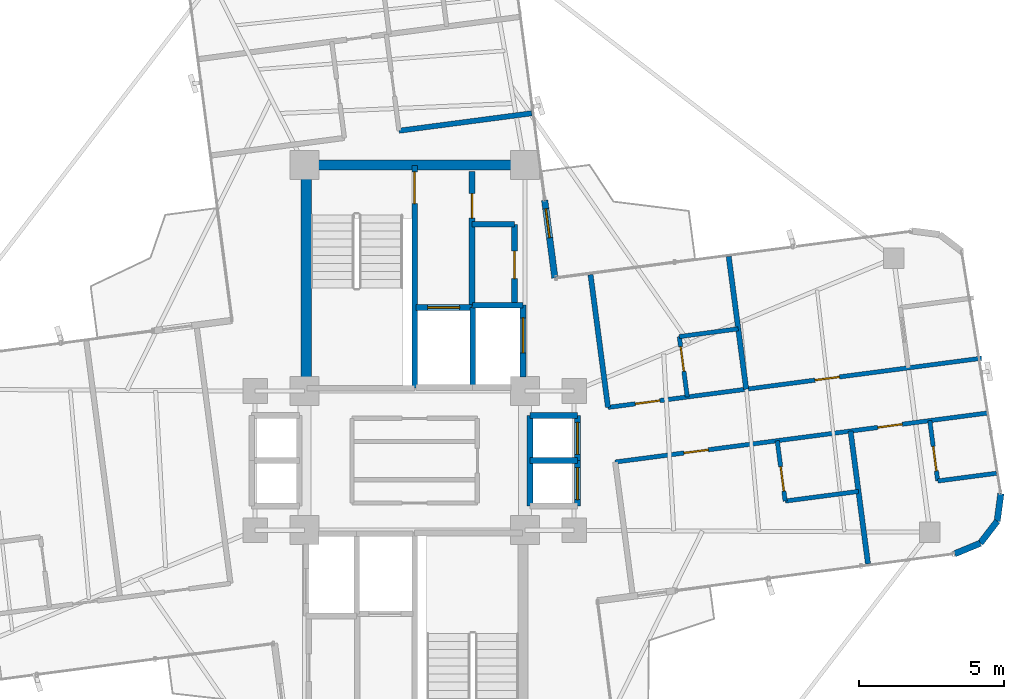
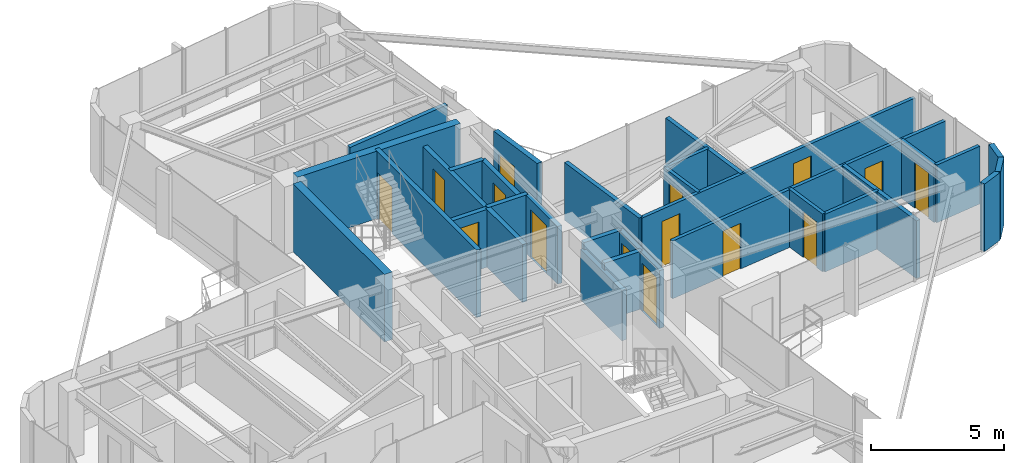
# One storey, part 20 of 22: 31 walls, 15 doors, 15 openings.
"""IFC4 building model written with IfcOpenShell, lengths in metres."""

from ifc_helpers import new_model, si_unit, direction, frame, frame_2d, origin, origin_2d, place, context, subcontext, project, spatial, rectangle, extrude, source, transform, mapped, material, layer, layer_set, type_object, element, fill, save


model = new_model("IFC4")

# Units and contexts
model_context = context("Model", 3, precision=1e-05, world=origin(), true_north=direction((0.0, 1.0)))
body_context = subcontext(model_context, "Body", "Model", "MODEL_VIEW")
ifc_project = project(units=[si_unit("LENGTHUNIT", "METRE"), si_unit("AREAUNIT", "SQUARE_METRE"), si_unit("VOLUMEUNIT", "CUBIC_METRE"), si_unit("PLANEANGLEUNIT", "RADIAN"), si_unit("MASSUNIT", "GRAM", prefix="KILO")], contexts=[model_context])

# Site, building, storey
site_placement = place(None, origin())
site = spatial("IfcSite", under=ifc_project, at=site_placement, CompositionType="ELEMENT")
building_placement = place(site_placement, origin())
building = spatial("IfcBuilding", under=site, at=building_placement, Name="Sahyath Konkavel Grand Hotel", CompositionType="ELEMENT")
storey_placement = place(building_placement, frame((0.0, 0.0, 244.5)))
storey = spatial("IfcBuildingStorey", under=building, at=storey_placement, Name="L68", CompositionType="ELEMENT", Elevation=244.5)

# Walls
ifc_material_1 = material(Name="Concrete C40/50", Category="concrete")
ifc_layer_1 = layer(ifc_material_1, 0.35009765625)
ifc_layer_set_1 = layer_set([ifc_layer_1], Name="Concrete C40/50")
wall_type_1 = type_object("IfcWallType", Name="CWALL-350", PredefinedType="SHEAR", material=ifc_layer_set_1)
wall_1_placement = place(storey_placement, frame((-3.550048828125, 10.199951171875, 0.0), z_axis=(0.0, 0.0, 1.0), x_axis=(1.0, 0.0, 0.0)))
element("IfcWall", 1, at=wall_1_placement, inside=storey, type_object=wall_type_1, Name="L68 North Core Shear Wall N", PredefinedType="SHEAR", context=body_context, shape_type="SweptSolid", body=[
    extrude(rectangle(XDim=7.10009765625, YDim=0.35009765625, at=frame_2d((3.550048828125, 0.0))), origin(), (0.0, 0.0, 1.0), 3.110107421875),
])
wall_2_placement = place(storey_placement, frame((-3.739990234375, 2.85009765625, 0.0), z_axis=(0.0, 0.0, 1.0), x_axis=(0.0, 1.0, 0.0)))
element("IfcWall", 2, at=wall_2_placement, inside=storey, type_object=wall_type_1, Name="L68 North Core Shear Wall W", PredefinedType="SHEAR", context=body_context, shape_type="SweptSolid", body=[
    extrude(rectangle(XDim=6.89990234375, YDim=0.35009765625, at=frame_2d((3.449951171875, 0.0))), origin(), (0.0, 0.0, 1.0), 3.110107421875),
])
ifc_material_2 = material(Name="Warm Buff Sandstone Insulated Concrete C40/50", Category="masonry")
ifc_layer_2 = layer(ifc_material_2, 0.219970703125)
ifc_layer_set_2 = layer_set([ifc_layer_2], Name="Warm Buff Sandstone Insulated Concrete C40/50")
wall_type_2 = type_object("IfcWallType", Name="WLL-BALC-THRESH", PredefinedType="STANDARD", material=ifc_layer_set_2)
for number, where, z_axis, x_axis, name in (
    (3, (18.621826171875, -3.2138671875, 0.0), (0.0, 0.0, 1.0), (0.923889442397, 0.382659506909, 0.0), "L68 Rounded Corner Sandstone Pier 1"),
    (4, (19.506591796875, -2.847412109375, 0.0), (0.0, 0.0, 1.0), (0.608774010809, 0.793343685778, 0.0), "L68 Rounded Corner Sandstone Pier 2"),
    (5, (20.089599609375, -2.087646484375, 0.0), (0.0, 0.0, 1.0), (0.130527053476, 0.991444747987, 0.0), "L68 Rounded Corner Sandstone Pier 3"),
):
    element("IfcWall", number, at=place(storey_placement, frame(where, z_axis=z_axis, x_axis=x_axis)), inside=storey, type_object=wall_type_2, Name=name, PredefinedType="STANDARD", context=body_context, shape_type="SweptSolid", body=[
        extrude(rectangle(XDim=0.957763671875, YDim=0.219970703125, at=frame_2d((0.47900390625, 0.0))), origin(), (0.0, 0.0, 1.0), 3.110107421875),
    ])

# Wall, opening, door
wall_3_placement = place(storey_placement, frame((4.835693359375, 6.302001953125, 0.0), z_axis=(0.0, 0.0, 1.0), x_axis=(-0.130475563272, 0.991451525486, 0.0)))
wall_3 = element("IfcWall", 6, at=wall_3_placement, inside=storey, type_object=wall_type_2, Name="L68 Winter-Garden Threshold Wall 8", PredefinedType="STANDARD", context=body_context, shape_type="SweptSolid", body=[
    extrude(rectangle(XDim=2.7001953125, YDim=0.219970703125, at=frame_2d((1.35009765625, 0.0))), origin(), (0.0, 0.0, 1.0), 3.110107421875),
])
opening_1_placement = place(wall_3_placement, frame((1.39990234375, 0.0, 0.0)))
opening_1 = element("IfcOpeningElement", 7, at=opening_1_placement, cuts=wall_3, Name="Opening D-TR1", PredefinedType="OPENING", context=body_context, shape_type="SweptSolid", body=[
    extrude(rectangle(XDim=1.0, YDim=2.199951171875, at=frame_2d((0.5, 1.10009765625))), frame((0.0, 0.1201171875, 0.0), z_axis=(0.0, -1.0, 0.0), x_axis=(1.0, 0.0, 0.0)), (0.0, 0.0, 1.0), 0.239990234375),
])
ifc_material_3 = material(Name="Anodised Bronze Aluminium & Low-E Glazing", Category="aluminium")
door_type_1 = type_object("IfcDoorType", Name="DR-TERRACE-1000", OperationType="NOTDEFINED", PredefinedType="DOOR", material=ifc_material_3)
shared_shape_1 = source(origin(), body_context, "Body", "SweptSolid", [
    extrude(rectangle(XDim=1.0, YDim=0.050048828125, at=origin_2d()), origin(), (0.0, 0.0, 1.0), 2.199951171875),
])
door_1_placement = place(opening_1_placement, frame((0.5, 0.0, 0.0)))
door_1 = element("IfcDoor", 8, at=door_1_placement, inside=storey, type_object=door_type_1, Name="L68 Winter-Garden Terrace Door 8", OperationType="SINGLE_SWING_LEFT", OverallHeight=2.199951171875, OverallWidth=1.0, PredefinedType="DOOR", context=body_context, shape_type="MappedRepresentation", body=[
    mapped(shared_shape_1, transform((0.0, 0.0, 0.0), scale=1.0)),
])
fill(opening_1, door_1)

ifc_layer_3 = layer(ifc_material_1, 0.199951171875)
ifc_layer_set_3 = layer_set([ifc_layer_3], Name="Concrete C40/50")
wall_type_3 = type_object("IfcWallType", Name="WLL-CORE-200", PredefinedType="SOLIDWALL", material=ifc_layer_set_3)
wall_4_placement = place(storey_placement, frame((0.0, 2.5, 0.0), z_axis=(0.0, 0.0, 1.0), x_axis=(0.0, 1.0, 0.0)))
wall_4 = element("IfcWall", 9, at=wall_4_placement, inside=storey, type_object=wall_type_3, Name="L68 Stair ST-1 Shaft Wall E", PredefinedType="SOLIDWALL", context=body_context, shape_type="SweptSolid", body=[
    extrude(rectangle(XDim=7.679931640625, YDim=0.199951171875, at=frame_2d((3.83984375, 0.0))), origin(), (0.0, 0.0, 1.0), 3.110107421875),
])
opening_2_placement = place(wall_4_placement, frame((6.360107421875, 0.0, 0.0)))
opening_2 = element("IfcOpeningElement", 10, at=opening_2_placement, cuts=wall_4, Name="Opening D-F12B", PredefinedType="OPENING", context=body_context, shape_type="SweptSolid", body=[
    extrude(rectangle(XDim=1.10009765625, YDim=2.14990234375, at=frame_2d((0.550048828125, 1.074951171875))), frame((0.0, 0.10986328125, 0.0), z_axis=(0.0, -1.0, 0.0), x_axis=(1.0, 0.0, 0.0)), (0.0, 0.0, 1.0), 0.219970703125),
])
ifc_material_4 = material(Name="Steel E350 Smokeproof Fire Door", Category="steel")
door_type_2 = type_object("IfcDoorType", Name="DR-FD120-1100", OperationType="NOTDEFINED", PredefinedType="DOOR", material=ifc_material_4)
shared_shape_2 = source(origin(), body_context, "Body", "SweptSolid", [
    extrude(rectangle(XDim=1.10009765625, YDim=0.050048828125, at=origin_2d()), origin(), (0.0, 0.0, 1.0), 2.14990234375),
])
door_2_placement = place(opening_2_placement, frame((0.550048828125, 0.0, 0.0)))
door_2 = element("IfcDoor", 11, at=door_2_placement, inside=storey, type_object=door_type_2, Name="L68 Stair ST-1 Fire Door", OperationType="SINGLE_SWING_RIGHT", OverallHeight=2.14990234375, OverallWidth=1.10009765625, PredefinedType="DOOR", context=body_context, shape_type="MappedRepresentation", body=[
    mapped(shared_shape_2, transform((0.0, 0.0, 0.0), scale=1.0)),
])
fill(opening_2, door_2)

wall_5_placement = place(storey_placement, frame((1.97998046875, 5.320068359375, 0.0), z_axis=(0.0, 0.0, 1.0), x_axis=(0.0, 1.0, 0.0)))
wall_5 = element("IfcWall", 12, at=wall_5_placement, inside=storey, type_object=wall_type_3, Name="L68 North Firefighting Lobby Wall E", PredefinedType="SOLIDWALL", context=body_context, shape_type="SweptSolid", body=[
    extrude(rectangle(XDim=4.659912109375, YDim=0.199951171875, at=frame_2d((2.330078125, 0.0))), origin(), (0.0, 0.0, 1.0), 2.659912109375),
])
opening_3_placement = place(wall_5_placement, frame((3.0400390625, 0.0, 0.0)))
opening_3 = element("IfcOpeningElement", 13, at=opening_3_placement, cuts=wall_5, Name="Opening D-F12D", PredefinedType="OPENING", context=body_context, shape_type="SweptSolid", body=[
    extrude(rectangle(XDim=0.85009765625, YDim=2.10009765625, at=frame_2d((0.425048828125, 1.050048828125))), frame((0.0, 0.10986328125, 0.0), z_axis=(0.0, -1.0, 0.0), x_axis=(1.0, 0.0, 0.0)), (0.0, 0.0, 1.0), 0.219970703125),
])
ifc_material_5 = material(Name="Steel E350 Core Fire Door", Category="steel")
door_type_3 = type_object("IfcDoorType", Name="DR-FD120-850", OperationType="NOTDEFINED", PredefinedType="DOOR", material=ifc_material_5)
shared_shape_3 = source(origin(), body_context, "Body", "SweptSolid", [
    extrude(rectangle(XDim=0.85009765625, YDim=0.050048828125, at=origin_2d()), origin(), (0.0, 0.0, 1.0), 2.10009765625),
])
door_3_placement = place(opening_3_placement, frame((0.425048828125, 0.0, 0.0)))
door_3 = element("IfcDoor", 14, at=door_3_placement, inside=storey, type_object=door_type_3, Name="L68 North Firefighting Lobby Door", OperationType="SINGLE_SWING_RIGHT", OverallHeight=2.10009765625, OverallWidth=0.85009765625, PredefinedType="DOOR", context=body_context, shape_type="MappedRepresentation", body=[
    mapped(shared_shape_3, transform((0.0, 0.0, 0.0), scale=1.0)),
])
fill(opening_3, door_3)

# Wall
wall_6_placement = place(storey_placement, frame((2.0, 2.5, 0.0), z_axis=(0.0, 0.0, 1.0), x_axis=(0.0, 1.0, 0.0)))
element("IfcWall", 15, at=wall_6_placement, inside=storey, type_object=wall_type_3, Name="L68 Partition SH-FFL1-E", PredefinedType="SOLIDWALL", context=body_context, shape_type="SweptSolid", body=[
    extrude(rectangle(XDim=2.780029296875, YDim=0.199951171875, at=frame_2d((1.39013671875, 0.0))), origin(), (0.0, 0.0, 1.0), 2.659912109375),
])

# Wall, opening, door
wall_7_placement = place(storey_placement, frame((0.050048828125, 5.280029296875, 0.0), z_axis=(0.0, 0.0, 1.0), x_axis=(1.0, 0.0, 0.0)))
wall_7 = element("IfcWall", 16, at=wall_7_placement, inside=storey, type_object=wall_type_3, Name="L68 Partition SH-FFL1-N", PredefinedType="SOLIDWALL", context=body_context, shape_type="SweptSolid", body=[
    extrude(rectangle(XDim=1.929931640625, YDim=0.199951171875, at=frame_2d((0.96484375, 0.0))), origin(), (0.0, 0.0, 1.0), 2.659912109375),
])
opening_4_placement = place(wall_7_placement, frame((0.39990234375, 0.0, 0.0)))
opening_4 = element("IfcOpeningElement", 17, at=opening_4_placement, cuts=wall_7, Name="Opening LD-11", PredefinedType="OPENING", context=body_context, shape_type="SweptSolid", body=[
    extrude(rectangle(XDim=1.10009765625, YDim=2.199951171875, at=frame_2d((0.550048828125, 1.10009765625))), frame((0.0, 0.10986328125, 0.0), z_axis=(0.0, -1.0, 0.0), x_axis=(1.0, 0.0, 0.0)), (0.0, 0.0, 1.0), 0.219970703125),
])
ifc_material_6 = material(Name="Bronze Lift Landing Door 1100")
door_type_4 = type_object("IfcDoorType", Name="DR-LIFT-1100", OperationType="DOUBLE_DOOR_SLIDING", PredefinedType="DOOR", material=ifc_material_6)
shared_shape_4 = source(origin(), body_context, "Body", "SweptSolid", [
    extrude(rectangle(XDim=1.10009765625, YDim=0.050048828125, at=origin_2d()), origin(), (0.0, 0.0, 1.0), 2.199951171875),
])
door_4_placement = place(opening_4_placement, frame((0.550048828125, 0.0, 0.0)))
door_4 = element("IfcDoor", 18, at=door_4_placement, inside=storey, type_object=door_type_4, Name="L68 Lift FFL-1 Landing Door", OperationType="DOUBLE_DOOR_SLIDING", OverallHeight=2.199951171875, OverallWidth=1.10009765625, PredefinedType="DOOR", context=body_context, shape_type="MappedRepresentation", body=[
    mapped(shared_shape_4, transform((0.0, 0.0, 0.0), scale=1.0)),
])
fill(opening_4, door_4)

# Wall
wall_8_placement = place(storey_placement, frame((2.0, 5.360107421875, 0.0), z_axis=(0.0, 0.0, 1.0), x_axis=(1.0, 0.0, 0.0)))
element("IfcWall", 19, at=wall_8_placement, inside=storey, type_object=wall_type_3, Name="L68 Partition SH-SVL1-N", PredefinedType="SOLIDWALL", context=body_context, shape_type="SweptSolid", body=[
    extrude(rectangle(XDim=1.739990234375, YDim=0.199951171875, at=frame_2d((0.8701171875, 0.0))), origin(), (0.0, 0.0, 1.0), 2.659912109375),
])

# Wall, opening, door
wall_9_placement = place(storey_placement, frame((3.739990234375, 2.8798828125, 0.0), z_axis=(0.0, 0.0, 1.0), x_axis=(0.0, 1.0, 0.0)))
wall_9 = element("IfcWall", 20, at=wall_9_placement, inside=storey, type_object=wall_type_3, Name="L68 Partition SH-SVL1-E", PredefinedType="SOLIDWALL", context=body_context, shape_type="SweptSolid", body=[
    extrude(rectangle(XDim=2.480224609375, YDim=0.199951171875, at=frame_2d((1.240234375, 0.0))), origin(), (0.0, 0.0, 1.0), 2.659912109375),
])
opening_5_placement = place(wall_9_placement, frame((0.840087890625, 0.0, 0.0)))
opening_5 = element("IfcOpeningElement", 21, at=opening_5_placement, cuts=wall_9, Name="Opening LD-12", PredefinedType="OPENING", context=body_context, shape_type="SweptSolid", body=[
    extrude(rectangle(XDim=1.199951171875, YDim=2.199951171875, at=frame_2d((0.60009765625, 1.10009765625))), frame((0.0, 0.10986328125, 0.0), z_axis=(0.0, -1.0, 0.0), x_axis=(1.0, 0.0, 0.0)), (0.0, 0.0, 1.0), 0.219970703125),
])
ifc_material_7 = material(Name="Stainless Steel Lift Landing Door 1200", Category="steel")
door_type_5 = type_object("IfcDoorType", Name="DR-LIFT-1200", OperationType="DOUBLE_DOOR_SLIDING", PredefinedType="DOOR", material=ifc_material_7)
shared_shape_5 = source(origin(), body_context, "Body", "SweptSolid", [
    extrude(rectangle(XDim=1.199951171875, YDim=0.050048828125, at=origin_2d()), origin(), (0.0, 0.0, 1.0), 2.199951171875),
])
door_5_placement = place(opening_5_placement, frame((0.60009765625, 0.0, 0.0)))
door_5 = element("IfcDoor", 22, at=door_5_placement, inside=storey, type_object=door_type_5, Name="L68 Service Lift SVL-1 Landing Door", OperationType="DOUBLE_DOOR_SLIDING", OverallHeight=2.199951171875, OverallWidth=1.199951171875, PredefinedType="DOOR", context=body_context, shape_type="MappedRepresentation", body=[
    mapped(shared_shape_5, transform((0.0, 0.0, 0.0), scale=1.0)),
])
fill(opening_5, door_5)

# Walls
wall_10_placement = place(storey_placement, frame((3.97998046875, -1.56005859375, 0.0), z_axis=(0.0, 0.0, 1.0), x_axis=(0.0, 1.0, 0.0)))
element("IfcWall", 23, at=wall_10_placement, inside=storey, type_object=wall_type_3, Name="L68 Partition SH-PL56-W", PredefinedType="SOLIDWALL", context=body_context, shape_type="SweptSolid", body=[
    extrude(rectangle(XDim=3.1201171875, YDim=0.199951171875, at=frame_2d((1.56005859375, 0.0))), origin(), (0.0, 0.0, 1.0), 2.330078125),
])
for number, where, z_axis, x_axis, name in (
    (24, (3.97998046875, 1.56005859375, 0.0), (0.0, 0.0, 1.0), (1.0, 0.0, 0.0), "L68 Partition SH-PL56-N"),
    (25, (3.97998046875, 0.0, 0.0), (0.0, 0.0, 1.0), (1.0, 0.0, 0.0), "L68 Partition SH-PL56-M"),
):
    element("IfcWall", number, at=place(storey_placement, frame(where, z_axis=z_axis, x_axis=x_axis)), inside=storey, type_object=wall_type_3, Name=name, PredefinedType="SOLIDWALL", context=body_context, shape_type="SweptSolid", body=[
        extrude(rectangle(XDim=1.64013671875, YDim=0.199951171875, at=frame_2d((0.820068359375, 0.0))), origin(), (0.0, 0.0, 1.0), 2.659912109375),
    ])

# Wall, opening, door
wall_11_placement = place(storey_placement, frame((5.6201171875, 0.0, 0.0), z_axis=(0.0, 0.0, 1.0), x_axis=(0.0, 1.0, 0.0)))
wall_11 = element("IfcWall", 26, at=wall_11_placement, inside=storey, type_object=wall_type_3, Name="L68 Partition SH-PL5-E", PredefinedType="SOLIDWALL", context=body_context, shape_type="SweptSolid", body=[
    extrude(rectangle(XDim=1.56005859375, YDim=0.199951171875, at=frame_2d((0.780029296875, 0.0))), origin(), (0.0, 0.0, 1.0), 2.659912109375),
])
opening_6_placement = place(wall_11_placement, frame((0.219970703125, 0.0, 0.0)))
opening_6 = element("IfcOpeningElement", 27, at=opening_6_placement, cuts=wall_11, Name="Opening LD-11", PredefinedType="OPENING", context=body_context, shape_type="SweptSolid", body=[
    extrude(rectangle(XDim=1.10009765625, YDim=2.199951171875, at=frame_2d((0.550048828125, 1.10009765625))), frame((0.0, 0.10986328125, 0.0), z_axis=(0.0, -1.0, 0.0), x_axis=(1.0, 0.0, 0.0)), (0.0, 0.0, 1.0), 0.219970703125),
])
door_6_placement = place(opening_6_placement, frame((0.550048828125, 0.0, 0.0)))
door_6 = element("IfcDoor", 28, at=door_6_placement, inside=storey, type_object=door_type_4, Name="L68 High-Rise Lift PL-5 Landing Door", OperationType="DOUBLE_DOOR_SLIDING", OverallHeight=2.199951171875, OverallWidth=1.10009765625, PredefinedType="DOOR", context=body_context, shape_type="MappedRepresentation", body=[
    mapped(shared_shape_4, transform((0.0, 0.0, 0.0), scale=1.0)),
])
fill(opening_6, door_6)

wall_12_placement = place(storey_placement, frame((5.6201171875, -1.56005859375, 0.0), z_axis=(0.0, 0.0, 1.0), x_axis=(0.0, 1.0, 0.0)))
wall_12 = element("IfcWall", 29, at=wall_12_placement, inside=storey, type_object=wall_type_3, Name="L68 Partition SH-PL6-E", PredefinedType="SOLIDWALL", context=body_context, shape_type="SweptSolid", body=[
    extrude(rectangle(XDim=1.56005859375, YDim=0.199951171875, at=frame_2d((0.780029296875, 0.0))), origin(), (0.0, 0.0, 1.0), 2.659912109375),
])
opening_7_placement = place(wall_12_placement, frame((0.219970703125, 0.0, 0.0)))
opening_7 = element("IfcOpeningElement", 30, at=opening_7_placement, cuts=wall_12, Name="Opening LD-11", PredefinedType="OPENING", context=body_context, shape_type="SweptSolid", body=[
    extrude(rectangle(XDim=1.10009765625, YDim=2.199951171875, at=frame_2d((0.550048828125, 1.10009765625))), frame((0.0, 0.10986328125, 0.0), z_axis=(0.0, -1.0, 0.0), x_axis=(1.0, 0.0, 0.0)), (0.0, 0.0, 1.0), 0.219970703125),
])
door_7_placement = place(opening_7_placement, frame((0.550048828125, 0.0, 0.0)))
door_7 = element("IfcDoor", 31, at=door_7_placement, inside=storey, type_object=door_type_4, Name="L68 High-Rise Lift PL-6 Landing Door", OperationType="DOUBLE_DOOR_SLIDING", OverallHeight=2.199951171875, OverallWidth=1.10009765625, PredefinedType="DOOR", context=body_context, shape_type="MappedRepresentation", body=[
    mapped(shared_shape_4, transform((0.0, 0.0, 0.0), scale=1.0)),
])
fill(opening_7, door_7)

wall_13_placement = place(storey_placement, frame((3.43994140625, 5.3798828125, 0.0), z_axis=(0.0, 0.0, 1.0), x_axis=(0.0, 1.0, 0.0)))
wall_13 = element("IfcWall", 32, at=wall_13_placement, inside=storey, type_object=wall_type_3, Name="L68 Reclaimed North Core Wall E", PredefinedType="SOLIDWALL", context=body_context, shape_type="SweptSolid", body=[
    extrude(rectangle(XDim=2.77001953125, YDim=0.199951171875, at=frame_2d((1.385009765625, 0.0))), origin(), (0.0, 0.0, 1.0), 2.659912109375),
])
opening_8_placement = place(wall_13_placement, frame((0.89990234375, 0.0, 0.0)))
opening_8 = element("IfcOpeningElement", 33, at=opening_8_placement, cuts=wall_13, Name="Opening D-F06B", PredefinedType="OPENING", context=body_context, shape_type="SweptSolid", body=[
    extrude(rectangle(XDim=0.949951171875, YDim=2.14990234375, at=frame_2d((0.47509765625, 1.074951171875))), frame((0.0, 0.10986328125, 0.0), z_axis=(0.0, -1.0, 0.0), x_axis=(1.0, 0.0, 0.0)), (0.0, 0.0, 1.0), 0.219970703125),
])
ifc_material_8 = material(Name="Teak Veneer Fire-Rated Guest Entrance Door")
door_type_6 = type_object("IfcDoorType", Name="DR-FD60-950", OperationType="NOTDEFINED", PredefinedType="DOOR", material=ifc_material_8)
shared_shape_6 = source(origin(), body_context, "Body", "SweptSolid", [
    extrude(rectangle(XDim=0.949951171875, YDim=0.050048828125, at=origin_2d()), origin(), (0.0, 0.0, 1.0), 2.14990234375),
])
door_8_placement = place(opening_8_placement, frame((0.47509765625, 0.0, 0.0)))
door_8 = element("IfcDoor", 34, at=door_8_placement, inside=storey, type_object=door_type_6, Name="L68 Door NC-REC1-D", OperationType="SINGLE_SWING_RIGHT", OverallHeight=2.14990234375, OverallWidth=0.949951171875, PredefinedType="DOOR", context=body_context, shape_type="MappedRepresentation", body=[
    mapped(shared_shape_6, transform((0.0, 0.0, 0.0), scale=1.0)),
])
fill(opening_8, door_8)

# Walls
wall_14_placement = place(storey_placement, frame((1.97998046875, 8.14990234375, 0.0), z_axis=(0.0, 0.0, 1.0), x_axis=(1.0, 0.0, 0.0)))
element("IfcWall", 35, at=wall_14_placement, inside=storey, type_object=wall_type_3, Name="L68 Partition NC-REC-N", PredefinedType="SOLIDWALL", context=body_context, shape_type="SweptSolid", body=[
    extrude(rectangle(XDim=1.4599609375, YDim=0.199951171875, at=frame_2d((0.72998046875, 0.0))), origin(), (0.0, 0.0, 1.0), 2.659912109375),
])
ifc_material_9 = material(Name="Twin-Stud Acoustic Gypsum Plasterboard Partition")
ifc_layer_4 = layer(ifc_material_9, 0.179931640625)
ifc_layer_set_4 = layer_set([ifc_layer_4], Name="Twin-Stud Acoustic Gypsum Plasterboard Partition")
wall_type_4 = type_object("IfcWallType", Name="WLL-DEMISE-180", PredefinedType="PARTITIONING", material=ifc_layer_set_4)
for number, where, z_axis, x_axis, name in (
    (36, (6.66748046875, 1.8359375, 0.0), (0.0, 0.0, 1.0), (-0.13055299465, 0.991441332398, 0.0), "L68 Partition E-INL"),
    (37, (11.433349609375, 2.46337890625, 0.0), (0.0, 0.0, 1.0), (-0.13055299465, 0.991441332398, 0.0), "L68 Partition E-E1L-DEM"),
    (38, (15.031494140625, 1.020751953125, 0.0), (0.0, 0.0, 1.0), (0.130501018479, -0.991448175235, 0.0), "L68 Partition E-E1R-DEM"),
):
    element("IfcWall", number, at=place(storey_placement, frame(where, z_axis=z_axis, x_axis=x_axis)), inside=storey, type_object=wall_type_4, Name=name, PredefinedType="PARTITIONING", context=body_context, shape_type="SweptSolid", body=[
        extrude(rectangle(XDim=4.6171875, YDim=0.179931640625, at=frame_2d((2.30859375, 0.0))), origin(), (0.0, 0.0, 1.0), 2.659912109375),
    ])
wall_15_placement = place(storey_placement, frame((4.037841796875, 11.9794921875, 0.0), z_axis=(0.0, 0.0, 1.0), x_axis=(-0.991447274637, -0.130507860355, 0.0)))
element("IfcWall", 39, at=wall_15_placement, inside=storey, type_object=wall_type_4, Name="L68 Partition N-INR", PredefinedType="PARTITIONING", context=body_context, shape_type="SweptSolid", body=[
    extrude(rectangle(XDim=4.616943359375, YDim=0.179931640625, at=frame_2d((2.30859375, 0.0))), origin(), (0.0, 0.0, 1.0), 2.659912109375),
])

# Wall, openings, doors
ifc_material_10 = material(Name="Fire-Rated Gypsum Plasterboard Partition")
ifc_layer_5 = layer(ifc_material_10, 0.14990234375)
ifc_layer_set_5 = layer_set([ifc_layer_5], Name="Fire-Rated Gypsum Plasterboard Partition")
wall_type_5 = type_object("IfcWallType", Name="WLL-PART-150", PredefinedType="PARTITIONING", material=ifc_layer_set_5)
wall_16_placement = place(storey_placement, frame((6.66748046875, 1.8359375, 0.0), z_axis=(0.0, 0.0, 1.0), x_axis=(0.991443675631, 0.130535198518, 0.0)))
wall_16 = element("IfcWall", 40, at=wall_16_placement, inside=storey, type_object=wall_type_5, Name="L68 Partition E-CL", PredefinedType="PARTITIONING", context=body_context, shape_type="SweptSolid", body=[
    extrude(rectangle(XDim=12.992919921875, YDim=0.14990234375, at=frame_2d((6.49658203125, 0.0))), origin(), (0.0, 0.0, 1.0), 2.659912109375),
])
opening_9_placement = place(wall_16_placement, frame((0.9541015625, 0.0, 0.0)))
opening_9 = element("IfcOpeningElement", 41, at=opening_9_placement, cuts=wall_16, Name="Opening D-F06D", PredefinedType="OPENING", context=body_context, shape_type="SweptSolid", body=[
    extrude(rectangle(XDim=0.85009765625, YDim=2.10009765625, at=frame_2d((0.425048828125, 1.050048828125))), frame((0.0, 0.0849609375, 0.0), z_axis=(0.0, -1.0, 0.0), x_axis=(1.0, 0.0, 0.0)), (0.0, 0.0, 1.0), 0.169921875),
])
opening_10_placement = place(wall_16_placement, frame((7.199951171875, 0.0, 0.0)))
opening_10 = element("IfcOpeningElement", 42, at=opening_10_placement, cuts=wall_16, Name="Opening D-F06D", PredefinedType="OPENING", context=body_context, shape_type="SweptSolid", body=[
    extrude(rectangle(XDim=0.85009765625, YDim=2.10009765625, at=frame_2d((0.425048828125, 1.050048828125))), frame((0.0, 0.0849609375, 0.0), z_axis=(0.0, -1.0, 0.0), x_axis=(1.0, 0.0, 0.0)), (0.0, 0.0, 1.0), 0.169921875),
])
ifc_material_11 = material(Name="Fire-Rated Shaft Access Door")
door_type_7 = type_object("IfcDoorType", Name="DR-FD60-850", OperationType="NOTDEFINED", PredefinedType="DOOR", material=ifc_material_11)
door_9_placement = place(opening_9_placement, frame((0.425048828125, 0.0, 0.0)))
door_9 = element("IfcDoor", 43, at=door_9_placement, inside=storey, type_object=door_type_7, Name="L68 Door E-E1L-ED", OperationType="SINGLE_SWING_RIGHT", OverallHeight=2.10009765625, OverallWidth=0.85009765625, PredefinedType="DOOR", context=body_context, shape_type="MappedRepresentation", body=[
    mapped(shared_shape_3, transform((0.0, 0.0, 0.0), scale=1.0)),
])
fill(opening_9, door_9)
door_10_placement = place(opening_10_placement, frame((0.425048828125, 0.0, 0.0)))
door_10 = element("IfcDoor", 44, at=door_10_placement, inside=storey, type_object=door_type_7, Name="L68 Door E-E2L-ED", OperationType="SINGLE_SWING_RIGHT", OverallHeight=2.10009765625, OverallWidth=0.85009765625, PredefinedType="DOOR", context=body_context, shape_type="MappedRepresentation", body=[
    mapped(shared_shape_3, transform((0.0, 0.0, 0.0), scale=1.0)),
])
fill(opening_10, door_10)

wall_17_placement = place(storey_placement, frame((6.915283203125, -0.0478515625, 0.0), z_axis=(0.0, 0.0, 1.0), x_axis=(0.991443675631, 0.130535198518, 0.0)))
wall_17 = element("IfcWall", 45, at=wall_17_placement, inside=storey, type_object=wall_type_5, Name="L68 Partition E-CR", PredefinedType="PARTITIONING", context=body_context, shape_type="SweptSolid", body=[
    extrude(rectangle(XDim=12.992919921875, YDim=0.14990234375, at=frame_2d((6.49658203125, 0.0))), origin(), (0.0, 0.0, 1.0), 2.659912109375),
])
opening_11_placement = place(wall_17_placement, frame((2.39306640625, 0.0, 0.0)))
opening_11 = element("IfcOpeningElement", 46, at=opening_11_placement, cuts=wall_17, Name="Opening D-F06D", PredefinedType="OPENING", context=body_context, shape_type="SweptSolid", body=[
    extrude(rectangle(XDim=0.85009765625, YDim=2.10009765625, at=frame_2d((0.425048828125, 1.050048828125))), frame((0.0, 0.0849609375, 0.0), z_axis=(0.0, -1.0, 0.0), x_axis=(1.0, 0.0, 0.0)), (0.0, 0.0, 1.0), 0.169921875),
])
opening_12_placement = place(wall_17_placement, frame((9.138916015625, 0.0, 0.0)))
opening_12 = element("IfcOpeningElement", 47, at=opening_12_placement, cuts=wall_17, Name="Opening D-F06D", PredefinedType="OPENING", context=body_context, shape_type="SweptSolid", body=[
    extrude(rectangle(XDim=0.85009765625, YDim=2.10009765625, at=frame_2d((0.425048828125, 1.050048828125))), frame((0.0, 0.0849609375, 0.0), z_axis=(0.0, -1.0, 0.0), x_axis=(1.0, 0.0, 0.0)), (0.0, 0.0, 1.0), 0.169921875),
])
door_11_placement = place(opening_11_placement, frame((0.425048828125, 0.0, 0.0)))
door_11 = element("IfcDoor", 48, at=door_11_placement, inside=storey, type_object=door_type_7, Name="L68 Door E-E1R-ED", OperationType="SINGLE_SWING_RIGHT", OverallHeight=2.10009765625, OverallWidth=0.85009765625, PredefinedType="DOOR", context=body_context, shape_type="MappedRepresentation", body=[
    mapped(shared_shape_3, transform((0.0, 0.0, 0.0), scale=1.0)),
])
fill(opening_11, door_11)
door_12_placement = place(opening_12_placement, frame((0.425048828125, 0.0, 0.0)))
door_12 = element("IfcDoor", 49, at=door_12_placement, inside=storey, type_object=door_type_7, Name="L68 Door E-E2R-ED", OperationType="SINGLE_SWING_RIGHT", OverallHeight=2.10009765625, OverallWidth=0.85009765625, PredefinedType="DOOR", context=body_context, shape_type="MappedRepresentation", body=[
    mapped(shared_shape_3, transform((0.0, 0.0, 0.0), scale=1.0)),
])
fill(opening_12, door_12)

# Wall, opening, door
wall_18_placement = place(storey_placement, frame((9.40087890625, 2.19580078125, 0.0), z_axis=(0.0, 0.0, 1.0), x_axis=(-0.130556761174, 0.991440836415, 0.0)))
wall_18 = element("IfcWall", 50, at=wall_18_placement, inside=storey, type_object=wall_type_5, Name="L68 Partition E-E1L-BS", PredefinedType="PARTITIONING", context=body_context, shape_type="SweptSolid", body=[
    extrude(rectangle(XDim=2.10009765625, YDim=0.14990234375, at=frame_2d((1.050048828125, 0.0))), origin(), (0.0, 0.0, 1.0), 2.659912109375),
])
opening_13_placement = place(wall_18_placement, frame((0.89990234375, 0.0, 0.0)))
opening_13 = element("IfcOpeningElement", 51, at=opening_13_placement, cuts=wall_18, Name="Opening D-BT85", PredefinedType="OPENING", context=body_context, shape_type="SweptSolid", body=[
    extrude(rectangle(XDim=0.85009765625, YDim=2.10009765625, at=frame_2d((0.425048828125, 1.050048828125))), frame((0.0, 0.0849609375, 0.0), z_axis=(0.0, -1.0, 0.0), x_axis=(1.0, 0.0, 0.0)), (0.0, 0.0, 1.0), 0.169921875),
])
ifc_material_12 = material(Name="Moisture-Resistant Teak Bathroom Door")
door_type_8 = type_object("IfcDoorType", Name="DR-BATH-850", OperationType="NOTDEFINED", PredefinedType="DOOR", material=ifc_material_12)
door_13_placement = place(opening_13_placement, frame((0.425048828125, 0.0, 0.0)))
door_13 = element("IfcDoor", 52, at=door_13_placement, inside=storey, type_object=door_type_8, Name="L68 Door E-E1L-BD", OperationType="SINGLE_SWING_LEFT", OverallHeight=2.10009765625, OverallWidth=0.85009765625, PredefinedType="DOOR", context=body_context, shape_type="MappedRepresentation", body=[
    mapped(shared_shape_3, transform((0.0, 0.0, 0.0), scale=1.0)),
])
fill(opening_13, door_13)

# Wall
wall_19_placement = place(storey_placement, frame((9.126708984375, 4.27783203125, 0.0), z_axis=(0.0, 0.0, 1.0), x_axis=(0.991444969909, 0.13052536781, 0.0)))
element("IfcWall", 53, at=wall_19_placement, inside=storey, type_object=wall_type_5, Name="L68 Partition E-E1L-BF", PredefinedType="PARTITIONING", context=body_context, shape_type="SweptSolid", body=[
    extrude(rectangle(XDim=2.050048828125, YDim=0.14990234375, at=frame_2d((1.02490234375, 0.0))), origin(), (0.0, 0.0, 1.0), 2.659912109375),
])

# Wall, opening, door
wall_20_placement = place(storey_placement, frame((12.503173828125, 0.68798828125, 0.0), z_axis=(0.0, 0.0, 1.0), x_axis=(0.130541714651, -0.991442817683, 0.0)))
wall_20 = element("IfcWall", 54, at=wall_20_placement, inside=storey, type_object=wall_type_5, Name="L68 Partition E-E1R-BS", PredefinedType="PARTITIONING", context=body_context, shape_type="SweptSolid", body=[
    extrude(rectangle(XDim=2.100341796875, YDim=0.14990234375, at=frame_2d((1.05029296875, 0.0))), origin(), (0.0, 0.0, 1.0), 2.659912109375),
])
opening_14_placement = place(wall_20_placement, frame((0.89990234375, 0.0, 0.0)))
opening_14 = element("IfcOpeningElement", 55, at=opening_14_placement, cuts=wall_20, Name="Opening D-BT85", PredefinedType="OPENING", context=body_context, shape_type="SweptSolid", body=[
    extrude(rectangle(XDim=0.85009765625, YDim=2.10009765625, at=frame_2d((0.425048828125, 1.050048828125))), frame((0.0, 0.0849609375, 0.0), z_axis=(0.0, -1.0, 0.0), x_axis=(1.0, 0.0, 0.0)), (0.0, 0.0, 1.0), 0.169921875),
])
door_14_placement = place(opening_14_placement, frame((0.425048828125, 0.0, 0.0)))
door_14 = element("IfcDoor", 56, at=door_14_placement, inside=storey, type_object=door_type_8, Name="L68 Door E-E1R-BD", OperationType="SINGLE_SWING_LEFT", OverallHeight=2.10009765625, OverallWidth=0.85009765625, PredefinedType="DOOR", context=body_context, shape_type="MappedRepresentation", body=[
    mapped(shared_shape_3, transform((0.0, 0.0, 0.0), scale=1.0)),
])
fill(opening_14, door_14)

# Wall
wall_21_placement = place(storey_placement, frame((12.77734375, -1.394287109375, 0.0), z_axis=(0.0, 0.0, 1.0), x_axis=(0.99143571012, 0.130595684076, 0.0)))
element("IfcWall", 57, at=wall_21_placement, inside=storey, type_object=wall_type_5, Name="L68 Partition E-E1R-BF", PredefinedType="PARTITIONING", context=body_context, shape_type="SweptSolid", body=[
    extrude(rectangle(XDim=2.5498046875, YDim=0.14990234375, at=frame_2d((1.27490234375, 0.0))), origin(), (0.0, 0.0, 1.0), 2.659912109375),
])

# Wall, opening, door
wall_22_placement = place(storey_placement, frame((17.764892578125, 1.380615234375, 0.0), z_axis=(0.0, 0.0, 1.0), x_axis=(0.13044248305, -0.9914558783, 0.0)))
wall_22 = element("IfcWall", 58, at=wall_22_placement, inside=storey, type_object=wall_type_5, Name="L68 Partition E-E2R-BS", PredefinedType="PARTITIONING", context=body_context, shape_type="SweptSolid", body=[
    extrude(rectangle(XDim=2.099853515625, YDim=0.14990234375, at=frame_2d((1.0498046875, 0.0))), origin(), (0.0, 0.0, 1.0), 2.659912109375),
])
opening_15_placement = place(wall_22_placement, frame((0.89990234375, 0.0, 0.0)))
opening_15 = element("IfcOpeningElement", 59, at=opening_15_placement, cuts=wall_22, Name="Opening D-BT85", PredefinedType="OPENING", context=body_context, shape_type="SweptSolid", body=[
    extrude(rectangle(XDim=0.85009765625, YDim=2.10009765625, at=frame_2d((0.425048828125, 1.050048828125))), frame((0.0, 0.0849609375, 0.0), z_axis=(0.0, -1.0, 0.0), x_axis=(1.0, 0.0, 0.0)), (0.0, 0.0, 1.0), 0.169921875),
])
door_15_placement = place(opening_15_placement, frame((0.425048828125, 0.0, 0.0)))
door_15 = element("IfcDoor", 60, at=door_15_placement, inside=storey, type_object=door_type_8, Name="L68 Door E-E2R-BD", OperationType="SINGLE_SWING_LEFT", OverallHeight=2.10009765625, OverallWidth=0.85009765625, PredefinedType="DOOR", context=body_context, shape_type="MappedRepresentation", body=[
    mapped(shared_shape_3, transform((0.0, 0.0, 0.0), scale=1.0)),
])
fill(opening_15, door_15)

# Wall
wall_23_placement = place(storey_placement, frame((18.038818359375, -0.701416015625, 0.0), z_axis=(0.0, 0.0, 1.0), x_axis=(0.991444969909, 0.13052536781, 0.0)))
element("IfcWall", 61, at=wall_23_placement, inside=storey, type_object=wall_type_5, Name="L68 Partition E-E2R-BF", PredefinedType="PARTITIONING", context=body_context, shape_type="SweptSolid", body=[
    extrude(rectangle(XDim=2.050048828125, YDim=0.14990234375, at=frame_2d((1.02490234375, 0.0))), origin(), (0.0, 0.0, 1.0), 2.659912109375),
])

save(model, "model.ifc")
